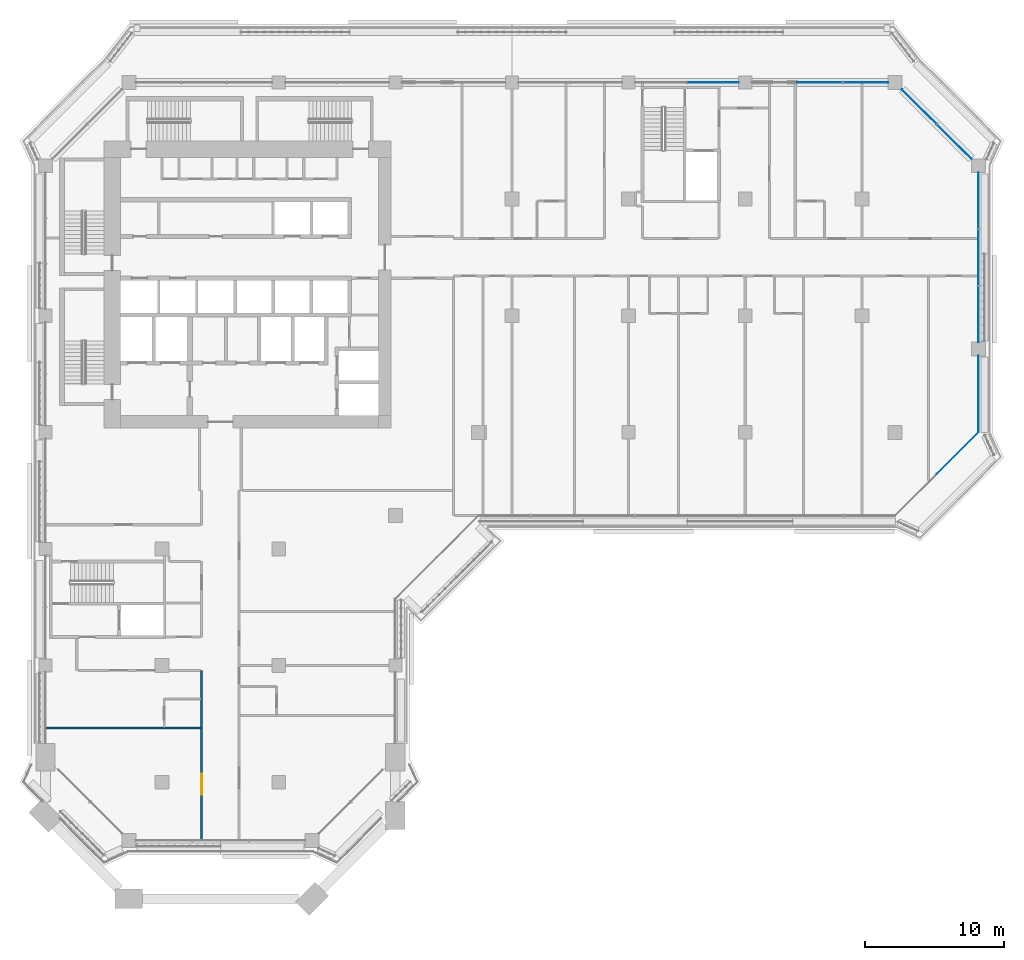
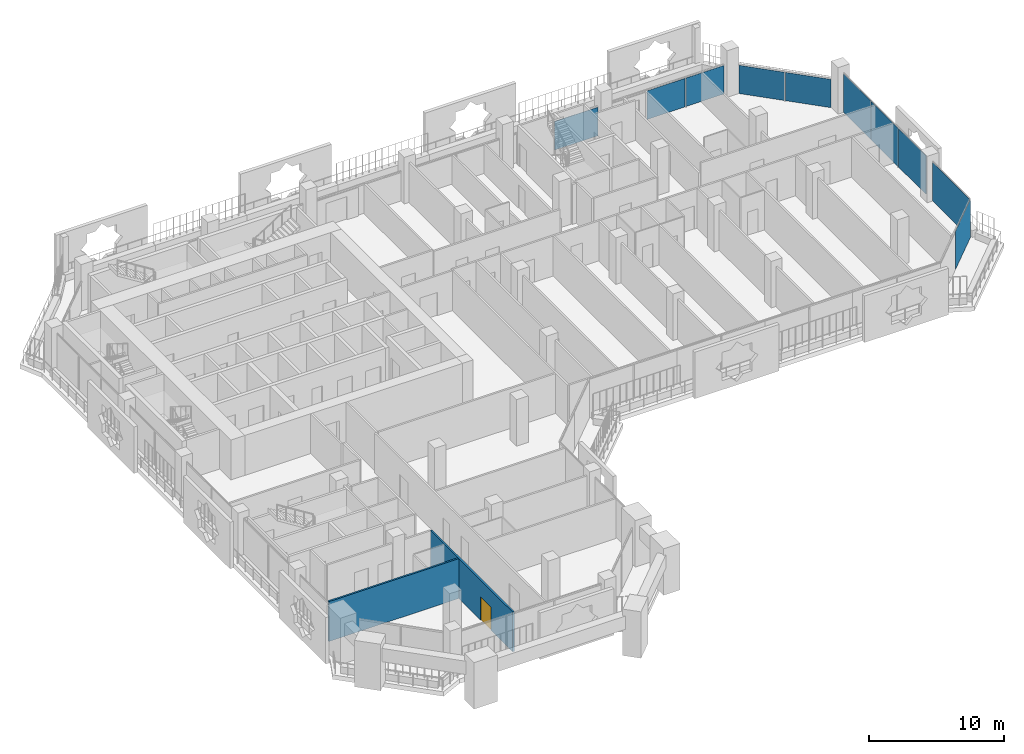
# One storey, part 9 of 23: 10 plates, 2 walls, 1 door, 1 opening, 4 elements without a shape of their own.
"""IFC4 building model written with IfcOpenShell, lengths in metres."""

from ifc_helpers import new_model, si_unit, direction, frame, frame_2d, origin, origin_2d, place, context, subcontext, project, spatial, rectangle, extrude, material, layer, layer_set, type_object, element, fill, aggregate, save


model = new_model("IFC4")

# Units and contexts
model_context = context("Model", 3, precision=1e-05, world=origin(), true_north=direction((0.0, 1.0)))
body_context = subcontext(model_context, "Body", "Model", "MODEL_VIEW")
ifc_project = project(units=[si_unit("LENGTHUNIT", "METRE"), si_unit("AREAUNIT", "SQUARE_METRE"), si_unit("VOLUMEUNIT", "CUBIC_METRE"), si_unit("PLANEANGLEUNIT", "RADIAN"), si_unit("MASSUNIT", "GRAM", prefix="KILO")], contexts=[model_context])

# Site, building, storey
site_placement = place(None, origin())
site = spatial("IfcSite", under=ifc_project, at=site_placement, CompositionType="ELEMENT")
building_placement = place(site_placement, origin())
building = spatial("IfcBuilding", under=site, at=building_placement, Name="Kawkab Arch Medical Tower", CompositionType="ELEMENT")
storey_placement = place(building_placement, frame((0.0, 0.0, 175.199951171875)))
storey = spatial("IfcBuildingStorey", under=building, at=storey_placement, Name="L40", CompositionType="ELEMENT", Elevation=175.199951171875)

# Curtain wall, plates
ifc_material_1 = material(Name="Bronze anodised aluminium curtain wall frame", Category="aluminium")
ifc_layer_1 = layer(ifc_material_1, 0.159912109375)
ifc_layer_set_1 = layer_set([ifc_layer_1], Name="Bronze anodised aluminium curtain wall frame")
curtain_wall_type_1 = type_object("IfcCurtainWallType", Name="CW1 ward curtain wall", PredefinedType="NOTDEFINED", material=ifc_layer_set_1)
placement = place(storey_placement, origin())
curtain_wall_1 = element("IfcCurtainWall", 1, at=placement, inside=storey, type_object=curtain_wall_type_1, Name="CW1 Ward curtain wall R09", PredefinedType="NOTDEFINED")
ifc_material_2 = material(Name="Tinted insulating glass, bronze low-e coating", Category="glass")
ifc_layer_2 = layer(ifc_material_2, 0.031982421875)
ifc_layer_set_2 = layer_set([ifc_layer_2], Name="Tinted insulating glass, bronze low-e coating")
plate_type_1 = type_object("IfcPlateType", Name="CW1 glazing unit 32", PredefinedType="CURTAIN_PANEL", material=ifc_layer_set_2)
plate_1_placement = place(storey_placement, frame((67.199951171875, -22.449951171875, 0.0), z_axis=(0.0, 0.0, 1.0), x_axis=(0.0, 1.0, 0.0)))
plate_1 = element("IfcPlate", 2, at=plate_1_placement, type_object=plate_type_1, Name="CW1 glazing unit 1.1", PredefinedType="CURTAIN_PANEL", context=body_context, shape_type="SweptSolid", body=[
    extrude(rectangle(XDim=5.5, YDim=0.031982421875, at=origin_2d()), origin(), (0.0, 0.0, 1.0), 3.47998046875),
])
plate_2_placement = place(storey_placement, frame((67.199951171875, -16.681640625, 0.0), z_axis=(0.0, 0.0, 1.0), x_axis=(0.0, 1.0, 0.0)))
plate_2 = element("IfcPlate", 3, at=plate_2_placement, type_object=plate_type_1, Name="CW1 glazing unit 2.1", PredefinedType="CURTAIN_PANEL", context=body_context, shape_type="SweptSolid", body=[
    extrude(rectangle(XDim=4.03662109375, YDim=0.031982421875, at=origin_2d()), origin(), (0.0, 0.0, 1.0), 3.47998046875),
])
plate_3_placement = place(storey_placement, frame((67.199951171875, -12.60009765625, 0.0), z_axis=(0.0, 0.0, 1.0), x_axis=(0.0, 1.0, 0.0)))
plate_3 = element("IfcPlate", 4, at=plate_3_placement, type_object=plate_type_1, Name="CW1 glazing unit 2.2", PredefinedType="CURTAIN_PANEL", context=body_context, shape_type="SweptSolid", body=[
    extrude(rectangle(XDim=4.006591796875, YDim=0.031982421875, at=origin_2d()), origin(), (0.0, 0.0, 1.0), 3.47998046875),
])
plate_4_placement = place(storey_placement, frame((67.199951171875, -8.518310546875, 0.0), z_axis=(0.0, 0.0, 1.0), x_axis=(0.0, 1.0, 0.0)))
plate_4 = element("IfcPlate", 5, at=plate_4_placement, type_object=plate_type_1, Name="CW1 glazing unit 2.3", PredefinedType="CURTAIN_PANEL", context=body_context, shape_type="SweptSolid", body=[
    extrude(rectangle(XDim=4.03662109375, YDim=0.031982421875, at=origin_2d()), origin(), (0.0, 0.0, 1.0), 3.47998046875),
])
aggregate(curtain_wall_1, [plate_1, plate_2, plate_3, plate_4])

curtain_wall_2 = element("IfcCurtainWall", 6, at=placement, inside=storey, type_object=curtain_wall_type_1, Name="CW1 Ward curtain wall R11", PredefinedType="NOTDEFINED")
plate_5_placement = place(storey_placement, frame((59.077392578125, 0.0, 0.0), z_axis=(0.0, 0.0, 1.0), x_axis=(-1.0, 0.0, 0.0)))
plate_5 = element("IfcPlate", 7, at=plate_5_placement, type_object=plate_type_1, Name="CW1 glazing unit 1.1", PredefinedType="CURTAIN_PANEL", context=body_context, shape_type="SweptSolid", body=[
    extrude(rectangle(XDim=3.2451171875, YDim=0.031982421875, at=origin_2d()), origin(), (0.0, 0.0, 1.0), 2.580078125),
])
plate_6_placement = place(storey_placement, frame((55.7724609375, 0.0, 0.0), z_axis=(0.0, 0.0, 1.0), x_axis=(-1.0, 0.0, 0.0)))
plate_6 = element("IfcPlate", 8, at=plate_6_placement, type_object=plate_type_1, Name="CW1 glazing unit 1.2", PredefinedType="CURTAIN_PANEL", context=body_context, shape_type="SweptSolid", body=[
    extrude(rectangle(XDim=3.2451171875, YDim=0.031982421875, at=origin_2d()), origin(), (0.0, 0.0, 1.0), 2.580078125),
])
plate_7_placement = place(storey_placement, frame((48.077392578125, 0.0, 0.0), z_axis=(0.0, 0.0, 1.0), x_axis=(-1.0, 0.0, 0.0)))
plate_7 = element("IfcPlate", 9, at=plate_7_placement, type_object=plate_type_1, Name="CW1 glazing unit 2.1", PredefinedType="CURTAIN_PANEL", context=body_context, shape_type="SweptSolid", body=[
    extrude(rectangle(XDim=3.695068359375, YDim=0.031982421875, at=origin_2d()), origin(), (0.0, 0.0, 1.0), 2.580078125),
])
aggregate(curtain_wall_2, [plate_5, plate_6, plate_7])

# Curtain wall, plate
ifc_material_3 = material(Name="Bronze anodised aluminium curtain wall frame", Category="aluminium")
ifc_layer_3 = layer(ifc_material_3, 0.159912109375)
ifc_layer_set_3 = layer_set([ifc_layer_3], Name="Bronze anodised aluminium curtain wall frame")
curtain_wall_type_2 = type_object("IfcCurtainWallType", Name="CW2 chamfer curtain wall", PredefinedType="NOTDEFINED", material=ifc_layer_set_3)
curtain_wall_3 = element("IfcCurtainWall", 10, at=placement, inside=storey, type_object=curtain_wall_type_2, Name="CW2 Chamfer curtain wall R08", PredefinedType="NOTDEFINED")
ifc_material_4 = material(Name="Tinted insulating glass, bronze low-e coating", Category="glass")
ifc_layer_4 = layer(ifc_material_4, 0.031982421875)
ifc_layer_set_4 = layer_set([ifc_layer_4], Name="Tinted insulating glass, bronze low-e coating")
plate_type_2 = type_object("IfcPlateType", Name="CW2 glazing unit 32", PredefinedType="CURTAIN_PANEL", material=ifc_layer_set_4)
plate_8_placement = place(storey_placement, frame((65.699951171875, -26.699951171875, 0.0), z_axis=(0.0, 0.0, 1.0), x_axis=(0.707106781187, 0.707106781187, 0.0)))
plate_8 = element("IfcPlate", 11, at=plate_8_placement, type_object=plate_type_2, Name="CW2 glazing unit 2.1", PredefinedType="CURTAIN_PANEL", context=body_context, shape_type="SweptSolid", body=[
    extrude(rectangle(XDim=4.24267578125, YDim=0.031982421875, at=origin_2d()), origin(), (0.0, 0.0, 1.0), 3.4599609375),
])
aggregate(curtain_wall_3, [plate_8])

# Curtain wall, plates
curtain_wall_4 = element("IfcCurtainWall", 12, at=placement, inside=storey, type_object=curtain_wall_type_2, Name="CW2 Chamfer curtain wall R10", PredefinedType="NOTDEFINED")
plate_9_placement = place(storey_placement, frame((65.460693359375, -4.260498046875, 0.0), z_axis=(0.0, 0.0, 1.0), x_axis=(-0.707106781187, 0.707106781187, 0.0)))
plate_9 = element("IfcPlate", 13, at=plate_9_placement, type_object=plate_type_2, Name="CW2 glazing unit 1.1", PredefinedType="CURTAIN_PANEL", context=body_context, shape_type="SweptSolid", body=[
    extrude(rectangle(XDim=3.505615234375, YDim=0.031982421875, at=origin_2d()), origin(), (0.0, 0.0, 1.0), 2.56005859375),
])
plate_10_placement = place(storey_placement, frame((62.939453125, -1.739501953125, 0.0), z_axis=(0.0, 0.0, 1.0), x_axis=(-0.707106781187, 0.707106781187, 0.0)))
plate_10 = element("IfcPlate", 14, at=plate_10_placement, type_object=plate_type_2, Name="CW2 glazing unit 1.2", PredefinedType="CURTAIN_PANEL", context=body_context, shape_type="SweptSolid", body=[
    extrude(rectangle(XDim=3.505615234375, YDim=0.031982421875, at=origin_2d()), origin(), (0.0, 0.0, 1.0), 2.56005859375),
])
aggregate(curtain_wall_4, [plate_9, plate_10])

# Wall
ifc_material_5 = material(Name="Gypsum board partition on steel studs, mineral wool", Category="steel")
ifc_layer_5 = layer(ifc_material_5, 0.14990234375)
ifc_layer_set_5 = layer_set([ifc_layer_5], Name="Gypsum board partition on steel studs, mineral wool")
wall_type = type_object("IfcWallType", Name="Partition 150", PredefinedType="PARTITIONING", material=ifc_layer_set_5)
wall_1_placement = place(storey_placement, frame((0.080078125, -46.5, 0.0), z_axis=(0.0, 0.0, 1.0), x_axis=(1.0, 0.0, 0.0)))
element("IfcWall", 15, at=wall_1_placement, inside=storey, type_object=wall_type, Name="Partition 150 w015", PredefinedType="PARTITIONING", context=body_context, shape_type="SweptSolid", body=[
    extrude(rectangle(XDim=11.094970703125, YDim=0.14990234375, at=frame_2d((5.54736328125, 0.0))), origin(), (0.0, 0.0, 1.0), 3.60009765625),
])

# Wall, opening, door
wall_2_placement = place(storey_placement, frame((11.25, -54.52001953125, 0.0), z_axis=(0.0, 0.0, 1.0), x_axis=(0.0, 1.0, 0.0)))
wall_2 = element("IfcWall", 16, at=wall_2_placement, inside=storey, type_object=wall_type, Name="Partition 150 w040", PredefinedType="PARTITIONING", context=body_context, shape_type="SweptSolid", body=[
    extrude(rectangle(XDim=12.169921875, YDim=0.14990234375, at=frame_2d((6.0849609375, 0.0))), origin(), (0.0, 0.0, 1.0), 3.60009765625),
])
opening_placement = place(wall_2_placement, frame((3.219970703125, 0.0, 0.0)))
opening = element("IfcOpeningElement", 17, at=opening_placement, cuts=wall_2, Name="Opening W40-003", PredefinedType="OPENING", context=body_context, shape_type="SweptSolid", body=[
    extrude(rectangle(XDim=1.5, YDim=2.10009765625, at=frame_2d((0.75, 1.050048828125))), frame((0.0, 0.0849609375, 0.0), z_axis=(0.0, -1.0, 0.0), x_axis=(1.0, 0.0, 0.0)), (0.0, 0.0, 1.0), 0.169921875),
])
ifc_material_6 = material(Name="Hollow metal door leaf")
door_type = type_object("IfcDoorType", Name="Double door 1500x2100 FD30S", OperationType="NOTDEFINED", PredefinedType="DOOR", material=ifc_material_6)
door_placement = place(opening_placement, origin())
door = element("IfcDoor", 18, at=door_placement, inside=storey, type_object=door_type, Name="Door W40-003", OperationType="DOUBLE_DOOR_SINGLE_SWING", OverallHeight=2.10009765625, OverallWidth=1.5, PredefinedType="DOOR", context=body_context, shape_type="SweptSolid", body=[
    extrude(rectangle(XDim=1.5, YDim=2.10009765625, at=frame_2d((0.75, 1.050048828125))), frame((0.0, 0.02490234375, 0.0), z_axis=(0.0, -1.0, 0.0), x_axis=(1.0, 0.0, 0.0)), (0.0, 0.0, 1.0), 0.050048828125),
])
fill(opening, door)

save(model, "model.ifc")
